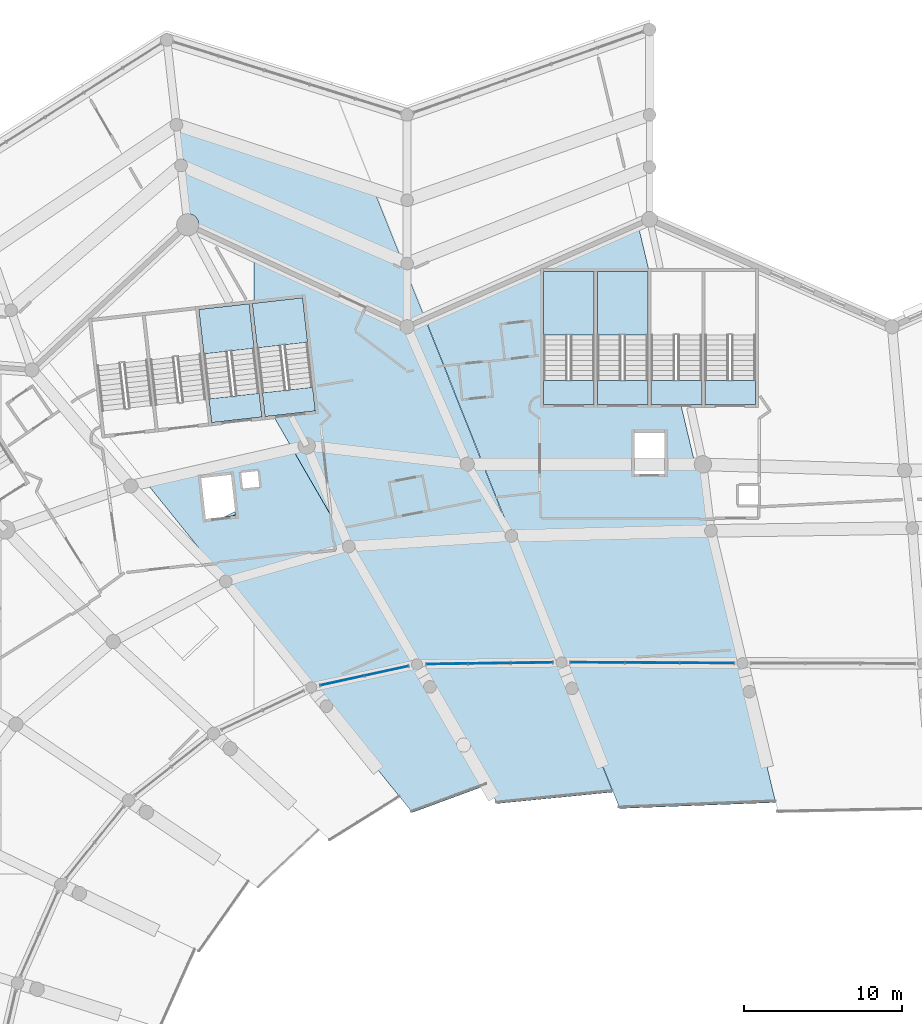
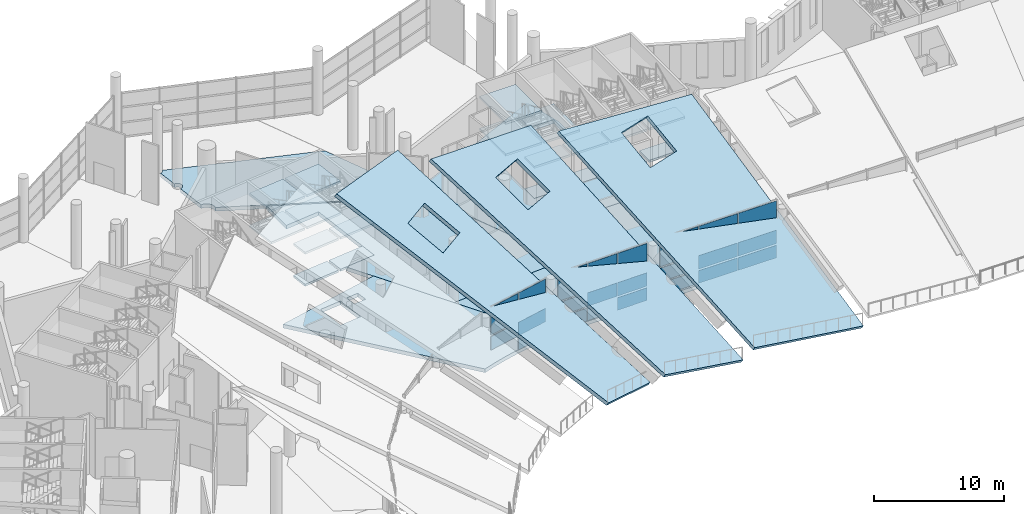
# One storey, part 124 of 249: 28 slabs, 23 plates, 9 elements without a shape of their own.
"""IFC4 building model written with IfcOpenShell, lengths in metres."""

from ifc_helpers import new_model, si_unit, direction, frame, origin, origin_2d, place, context, subcontext, project, spatial, polyline, rectangle, outline, extrude, material, layer, layer_set, type_object, element, aggregate, save


model = new_model("IFC4")

# Units and contexts
model_context = context("Model", 3, precision=1e-05, world=origin(), true_north=direction((0.0, 1.0)))
body_context = subcontext(model_context, "Body", "Model", "MODEL_VIEW")
ifc_project = project(units=[si_unit("LENGTHUNIT", "METRE"), si_unit("AREAUNIT", "SQUARE_METRE"), si_unit("VOLUMEUNIT", "CUBIC_METRE"), si_unit("PLANEANGLEUNIT", "RADIAN"), si_unit("MASSUNIT", "GRAM", prefix="KILO")], contexts=[model_context])

# Site, building, storey
site_placement = place(None, origin())
site = spatial("IfcSite", under=ifc_project, at=site_placement, CompositionType="ELEMENT")
building_placement = place(site_placement, origin())
building = spatial("IfcBuilding", under=site, at=building_placement, Name="Meseta Stadium", CompositionType="ELEMENT")
storey_placement = place(building_placement, frame((0.0, 0.0, 12.0)))
storey = spatial("IfcBuildingStorey", under=building, at=storey_placement, Name="L02", CompositionType="ELEMENT", Elevation=12.0)

# Curtain wall, plates
ifc_material_1 = material(Name="Aluminium", Category="aluminium")
ifc_layer_1 = layer(ifc_material_1, 0.199951171875)
ifc_layer_set_1 = layer_set([ifc_layer_1], Name="Suite glazing curtain wall")
curtain_wall_type = type_object("IfcCurtainWallType", Name="Suite glazing curtain wall", PredefinedType="NOTDEFINED", material=ifc_layer_set_1)
curtain_wall_1_placement = place(storey_placement, origin())
curtain_wall_1 = element("IfcCurtainWall", 1, at=curtain_wall_1_placement, inside=storey, type_object=curtain_wall_type, Name="Suite glazing bay 20", PredefinedType="NOTDEFINED")
ifc_material_2 = material(Name="Glass", Category="glass")
ifc_layer_2 = layer(ifc_material_2, 0.035888671875)
ifc_layer_set_2 = layer_set([ifc_layer_2], Name="CW glass panel 36")
plate_type = type_object("IfcPlateType", Name="CW glass panel 36", PredefinedType="CURTAIN_PANEL", material=ifc_layer_set_2)
plate_1_placement = place(storey_placement, frame((-19.372802734375, 77.342041015625, 0.14990234375), z_axis=(0.0, 0.0, 1.0), x_axis=(-0.999990015912, 0.004468565348, 0.0)))
plate_1 = element("IfcPlate", 2, at=plate_1_placement, type_object=plate_type, Name="CWS panel 1.1", PredefinedType="CURTAIN_PANEL", context=body_context, shape_type="SweptSolid", body=[
    extrude(rectangle(XDim=3.386474609375, YDim=0.035888671875, at=origin_2d()), origin(), (0.0, 0.0, 1.0), 1.1875),
])
plate_2_placement = place(storey_placement, frame((-19.372802734375, 77.342041015625, 1.4873046875), z_axis=(0.0, 0.0, 1.0), x_axis=(-0.999990015912, 0.004468565348, 0.0)))
plate_2 = element("IfcPlate", 3, at=plate_2_placement, type_object=plate_type, Name="CWS panel 1.2", PredefinedType="CURTAIN_PANEL", context=body_context, shape_type="SweptSolid", body=[
    extrude(rectangle(XDim=3.386474609375, YDim=0.035888671875, at=origin_2d()), origin(), (0.0, 0.0, 1.0), 1.262451171875),
])
plate_3_placement = place(storey_placement, frame((-19.372802734375, 77.342041015625, 2.89990234375), z_axis=(0.0, 0.0, 1.0), x_axis=(-0.999990015912, 0.004468565348, 0.0)))
plate_3 = element("IfcPlate", 4, at=plate_3_placement, type_object=plate_type, Name="CWS panel 1.3", PredefinedType="CURTAIN_PANEL", context=body_context, shape_type="SweptSolid", body=[
    extrude(rectangle(XDim=3.386474609375, YDim=0.035888671875, at=origin_2d()), origin(), (0.0, 0.0, 1.0), 2.60009765625),
])
plate_4_placement = place(storey_placement, frame((-22.833984375, 77.357666015625, 0.14990234375), z_axis=(0.0, 0.0, 1.0), x_axis=(-0.999990015912, 0.004468565348, 0.0)))
plate_4 = element("IfcPlate", 5, at=plate_4_placement, type_object=plate_type, Name="CWS panel 2.1", PredefinedType="CURTAIN_PANEL", context=body_context, shape_type="SweptSolid", body=[
    extrude(rectangle(XDim=3.41650390625, YDim=0.035888671875, at=origin_2d()), origin(), (0.0, 0.0, 1.0), 1.1875),
])
plate_5_placement = place(storey_placement, frame((-22.833984375, 77.357666015625, 1.4873046875), z_axis=(0.0, 0.0, 1.0), x_axis=(-0.999990015912, 0.004468565348, 0.0)))
plate_5 = element("IfcPlate", 6, at=plate_5_placement, type_object=plate_type, Name="CWS panel 2.2", PredefinedType="CURTAIN_PANEL", context=body_context, shape_type="SweptSolid", body=[
    extrude(rectangle(XDim=3.41650390625, YDim=0.035888671875, at=origin_2d()), origin(), (0.0, 0.0, 1.0), 1.262451171875),
])
plate_6_placement = place(storey_placement, frame((-22.833984375, 77.357666015625, 2.89990234375), z_axis=(0.0, 0.0, 1.0), x_axis=(-0.999990015912, 0.004468565348, 0.0)))
plate_6 = element("IfcPlate", 7, at=plate_6_placement, type_object=plate_type, Name="CWS panel 2.3", PredefinedType="CURTAIN_PANEL", context=body_context, shape_type="SweptSolid", body=[
    extrude(rectangle(XDim=3.41650390625, YDim=0.035888671875, at=origin_2d()), origin(), (0.0, 0.0, 1.0), 2.60009765625),
])
plate_7_placement = place(storey_placement, frame((-26.29541015625, 77.373046875, 0.14990234375), z_axis=(0.0, 0.0, 1.0), x_axis=(-0.999990015912, 0.004468565348, 0.0)))
plate_7 = element("IfcPlate", 8, at=plate_7_placement, type_object=plate_type, Name="CWS panel 3.1", PredefinedType="CURTAIN_PANEL", context=body_context, shape_type="SweptSolid", body=[
    extrude(rectangle(XDim=3.386474609375, YDim=0.035888671875, at=origin_2d()), origin(), (0.0, 0.0, 1.0), 1.1875),
])
plate_8_placement = place(storey_placement, frame((-26.29541015625, 77.373046875, 1.4873046875), z_axis=(0.0, 0.0, 1.0), x_axis=(-0.999990015912, 0.004468565348, 0.0)))
plate_8 = element("IfcPlate", 9, at=plate_8_placement, type_object=plate_type, Name="CWS panel 3.2", PredefinedType="CURTAIN_PANEL", context=body_context, shape_type="SweptSolid", body=[
    extrude(rectangle(XDim=3.386474609375, YDim=0.035888671875, at=origin_2d()), origin(), (0.0, 0.0, 1.0), 1.262451171875),
])
plate_9_placement = place(storey_placement, frame((-26.29541015625, 77.373046875, 2.89990234375), z_axis=(0.0, 0.0, 1.0), x_axis=(-0.999990015912, 0.004468565348, 0.0)))
plate_9 = element("IfcPlate", 10, at=plate_9_placement, type_object=plate_type, Name="CWS panel 3.3", PredefinedType="CURTAIN_PANEL", context=body_context, shape_type="SweptSolid", body=[
    extrude(rectangle(XDim=3.386474609375, YDim=0.035888671875, at=origin_2d()), origin(), (0.0, 0.0, 1.0), 2.60009765625),
])
aggregate(curtain_wall_1, [plate_1, plate_2, plate_3, plate_4, plate_5, plate_6, plate_7, plate_8, plate_9])

curtain_wall_2_placement = place(storey_placement, origin())
curtain_wall_2 = element("IfcCurtainWall", 11, at=curtain_wall_2_placement, inside=storey, type_object=curtain_wall_type, Name="Suite glazing bay 21", PredefinedType="NOTDEFINED")
plate_10_placement = place(storey_placement, frame((-30.43994140625, 77.3583984375, 0.14990234375), z_axis=(0.0, 0.0, 1.0), x_axis=(-0.999911801279, -0.013281177042, 0.0)))
plate_10 = element("IfcPlate", 12, at=plate_10_placement, type_object=plate_type, Name="CWS panel 1.1", PredefinedType="CURTAIN_PANEL", context=body_context, shape_type="SweptSolid", body=[
    extrude(rectangle(XDim=2.60546875, YDim=0.035888671875, at=origin_2d()), origin(), (0.0, 0.0, 1.0), 1.1875),
])
plate_11_placement = place(storey_placement, frame((-30.43994140625, 77.3583984375, 1.4873046875), z_axis=(0.0, 0.0, 1.0), x_axis=(-0.999911801279, -0.013281177042, 0.0)))
plate_11 = element("IfcPlate", 13, at=plate_11_placement, type_object=plate_type, Name="CWS panel 1.2", PredefinedType="CURTAIN_PANEL", context=body_context, shape_type="SweptSolid", body=[
    extrude(rectangle(XDim=2.60546875, YDim=0.035888671875, at=origin_2d()), origin(), (0.0, 0.0, 1.0), 1.262451171875),
])
plate_12_placement = place(storey_placement, frame((-30.43994140625, 77.3583984375, 2.89990234375), z_axis=(0.0, 0.0, 1.0), x_axis=(-0.999911801279, -0.013281177042, 0.0)))
plate_12 = element("IfcPlate", 14, at=plate_12_placement, type_object=plate_type, Name="CWS panel 1.3", PredefinedType="CURTAIN_PANEL", context=body_context, shape_type="SweptSolid", body=[
    extrude(rectangle(XDim=2.60546875, YDim=0.035888671875, at=origin_2d()), origin(), (0.0, 0.0, 1.0), 2.60009765625),
])
plate_13_placement = place(storey_placement, frame((-33.1201171875, 77.32275390625, 0.14990234375), z_axis=(0.0, 0.0, 1.0), x_axis=(-0.999911801279, -0.013281177042, 0.0)))
plate_13 = element("IfcPlate", 15, at=plate_13_placement, type_object=plate_type, Name="CWS panel 2.1", PredefinedType="CURTAIN_PANEL", context=body_context, shape_type="SweptSolid", body=[
    extrude(rectangle(XDim=2.635498046875, YDim=0.035888671875, at=origin_2d()), origin(), (0.0, 0.0, 1.0), 1.1875),
])
plate_14_placement = place(storey_placement, frame((-33.1201171875, 77.32275390625, 1.4873046875), z_axis=(0.0, 0.0, 1.0), x_axis=(-0.999911801279, -0.013281177042, 0.0)))
plate_14 = element("IfcPlate", 16, at=plate_14_placement, type_object=plate_type, Name="CWS panel 2.2", PredefinedType="CURTAIN_PANEL", context=body_context, shape_type="SweptSolid", body=[
    extrude(rectangle(XDim=2.635498046875, YDim=0.035888671875, at=origin_2d()), origin(), (0.0, 0.0, 1.0), 1.262451171875),
])
plate_15_placement = place(storey_placement, frame((-33.1201171875, 77.32275390625, 2.89990234375), z_axis=(0.0, 0.0, 1.0), x_axis=(-0.999911801279, -0.013281177042, 0.0)))
plate_15 = element("IfcPlate", 17, at=plate_15_placement, type_object=plate_type, Name="CWS panel 2.3", PredefinedType="CURTAIN_PANEL", context=body_context, shape_type="SweptSolid", body=[
    extrude(rectangle(XDim=2.635498046875, YDim=0.035888671875, at=origin_2d()), origin(), (0.0, 0.0, 1.0), 2.60009765625),
])
plate_16_placement = place(storey_placement, frame((-35.80029296875, 77.287109375, 0.14990234375), z_axis=(0.0, 0.0, 1.0), x_axis=(-0.999911801279, -0.013281177042, 0.0)))
plate_16 = element("IfcPlate", 18, at=plate_16_placement, type_object=plate_type, Name="CWS panel 3.1", PredefinedType="CURTAIN_PANEL", context=body_context, shape_type="SweptSolid", body=[
    extrude(rectangle(XDim=2.60546875, YDim=0.035888671875, at=origin_2d()), origin(), (0.0, 0.0, 1.0), 1.1875),
])
plate_17_placement = place(storey_placement, frame((-35.80029296875, 77.287109375, 1.4873046875), z_axis=(0.0, 0.0, 1.0), x_axis=(-0.999911801279, -0.013281177042, 0.0)))
plate_17 = element("IfcPlate", 19, at=plate_17_placement, type_object=plate_type, Name="CWS panel 3.2", PredefinedType="CURTAIN_PANEL", context=body_context, shape_type="SweptSolid", body=[
    extrude(rectangle(XDim=2.60546875, YDim=0.035888671875, at=origin_2d()), origin(), (0.0, 0.0, 1.0), 1.262451171875),
])
plate_18_placement = place(storey_placement, frame((-35.80029296875, 77.287109375, 2.89990234375), z_axis=(0.0, 0.0, 1.0), x_axis=(-0.999911801279, -0.013281177042, 0.0)))
plate_18 = element("IfcPlate", 20, at=plate_18_placement, type_object=plate_type, Name="CWS panel 3.3", PredefinedType="CURTAIN_PANEL", context=body_context, shape_type="SweptSolid", body=[
    extrude(rectangle(XDim=2.60546875, YDim=0.035888671875, at=origin_2d()), origin(), (0.0, 0.0, 1.0), 2.60009765625),
])
aggregate(curtain_wall_2, [plate_10, plate_11, plate_12, plate_13, plate_14, plate_15, plate_16, plate_17, plate_18])

curtain_wall_3_placement = place(storey_placement, origin())
curtain_wall_3 = element("IfcCurtainWall", 21, at=curtain_wall_3_placement, inside=storey, type_object=curtain_wall_type, Name="Suite glazing bay 22", PredefinedType="NOTDEFINED")
plate_19_placement = place(storey_placement, frame((-39.633544921875, 76.843017578125, 0.14990234375), z_axis=(0.0, 0.0, 1.0), x_axis=(-0.977070301273, -0.21291694712, 0.0)))
plate_19 = element("IfcPlate", 22, at=plate_19_placement, type_object=plate_type, Name="CWS panel 1.1", PredefinedType="CURTAIN_PANEL", context=body_context, shape_type="SweptSolid", body=[
    extrude(rectangle(XDim=2.80810546875, YDim=0.035888671875, at=origin_2d()), origin(), (0.0, 0.0, 1.0), 1.1875),
])
plate_20_placement = place(storey_placement, frame((-39.633544921875, 76.843017578125, 1.4873046875), z_axis=(0.0, 0.0, 1.0), x_axis=(-0.977070301273, -0.21291694712, 0.0)))
plate_20 = element("IfcPlate", 23, at=plate_20_placement, type_object=plate_type, Name="CWS panel 1.2", PredefinedType="CURTAIN_PANEL", context=body_context, shape_type="SweptSolid", body=[
    extrude(rectangle(XDim=2.80810546875, YDim=0.035888671875, at=origin_2d()), origin(), (0.0, 0.0, 1.0), 1.262451171875),
])
plate_21_placement = place(storey_placement, frame((-39.633544921875, 76.843017578125, 2.89990234375), z_axis=(0.0, 0.0, 1.0), x_axis=(-0.977070301273, -0.21291694712, 0.0)))
plate_21 = element("IfcPlate", 24, at=plate_21_placement, type_object=plate_type, Name="CWS panel 1.3", PredefinedType="CURTAIN_PANEL", context=body_context, shape_type="SweptSolid", body=[
    extrude(rectangle(XDim=2.80810546875, YDim=0.035888671875, at=origin_2d()), origin(), (0.0, 0.0, 1.0), 2.60009765625),
])
plate_22_placement = place(storey_placement, frame((-42.43603515625, 76.232177734375, 1.4873046875), z_axis=(0.0, 0.0, 1.0), x_axis=(-0.977070301273, -0.21291694712, 0.0)))
plate_22 = element("IfcPlate", 25, at=plate_22_placement, type_object=plate_type, Name="CWS panel 2.2", PredefinedType="CURTAIN_PANEL", context=body_context, shape_type="SweptSolid", body=[
    extrude(rectangle(XDim=2.80810546875, YDim=0.035888671875, at=origin_2d()), origin(), (0.0, 0.0, 1.0), 1.262451171875),
])
plate_23_placement = place(storey_placement, frame((-42.43603515625, 76.232177734375, 2.89990234375), z_axis=(0.0, 0.0, 1.0), x_axis=(-0.977070301273, -0.21291694712, 0.0)))
plate_23 = element("IfcPlate", 26, at=plate_23_placement, type_object=plate_type, Name="CWS panel 2.3", PredefinedType="CURTAIN_PANEL", context=body_context, shape_type="SweptSolid", body=[
    extrude(rectangle(XDim=2.80810546875, YDim=0.035888671875, at=origin_2d()), origin(), (0.0, 0.0, 1.0), 2.60009765625),
])
aggregate(curtain_wall_3, [plate_19, plate_20, plate_21, plate_22, plate_23])

# Slabs
ifc_material_3 = material(Name="Concrete C40/50", Category="concrete")
ifc_layer_3 = layer(ifc_material_3, 0.35009765625)
ifc_layer_set_3 = layer_set([ifc_layer_3], Name="Floor slab 350")
slab_type_1 = type_object("IfcSlabType", Name="Floor slab 350", PredefinedType="FLOOR", material=ifc_layer_set_3)
slab_1_placement = place(storey_placement, frame((0.0, 0.0, -0.35009765625)))
element("IfcSlab", 27, at=slab_1_placement, inside=storey, type_object=slab_type_1, Name="Floor slab L02 sector 14 panel 01", PredefinedType="FLOOR", context=body_context, shape_type="SweptSolid", body=[
    extrude(outline(polyline([(-22.89990234375, 101.580078125), (-23.732177734375, 105.0751953125), (-37.177001953125, 99.11279296875), (-33.525390625, 89.911376953125), (-23.949951171875, 89.906005859375), (-23.949951171875, 91.89990234375), (-22.050048828125, 91.89990234375), (-22.050048828125, 89.905029296875), (-20.1201171875, 89.904052734375), (-21.023681640625, 93.699951171875), (-22.89990234375, 93.699951171875), (-22.89990234375, 101.580078125)]), holes=[polyline([(-26.300048828125, 93.699951171875), (-26.300048828125, 102.10009765625), (-23.10009765625, 102.10009765625), (-23.10009765625, 93.699951171875), (-26.300048828125, 93.699951171875)]), polyline([(-29.699951171875, 93.699951171875), (-29.699951171875, 102.10009765625), (-26.5, 102.10009765625), (-26.5, 93.699951171875), (-29.699951171875, 93.699951171875)])]), origin(), (0.0, 0.0, 1.0), 0.35009765625),
])
slab_2_placement = place(storey_placement, frame((0.0, 0.0, -0.35009765625)))
element("IfcSlab", 28, at=slab_2_placement, inside=storey, type_object=slab_type_1, Name="Floor slab L02 sector 14 panel 02", PredefinedType="FLOOR", context=body_context, shape_type="SweptSolid", body=[
    extrude(outline(polyline([(-19.11865234375, 85.6982421875), (-19.62744140625, 89.90380859375), (-22.050048828125, 89.905029296875), (-22.050048828125, 89.300048828125), (-23.949951171875, 89.300048828125), (-23.949951171875, 89.906005859375), (-33.525390625, 89.911376953125), (-28.553955078125, 77.38330078125), (-24.74951171875, 77.364013671875), (-19.031494140625, 77.339111328125), (-17.126708984375, 77.33203125), (-19.11865234375, 85.6982421875)])), origin(), (0.0, 0.0, 1.0), 0.35009765625),
])
slab_3_placement = place(storey_placement, frame((0.0, 0.0, -0.35009765625)))
element("IfcSlab", 29, at=slab_3_placement, inside=storey, type_object=slab_type_1, Name="Floor slab L02 sector 21 panel 14", PredefinedType="FLOOR", context=body_context, shape_type="SweptSolid", body=[
    extrude(outline(polyline([(-37.711669921875, 77.26171875), (-45.585693359375, 90.8837890625), (-54.8447265625, 88.760498046875), (-44.389892578125, 75.806396484375), (-43.302490234375, 76.153564453125), (-42.20263671875, 76.459228515625), (-41.092041015625, 76.723388671875), (-39.972412109375, 76.9453125), (-38.844970703125, 77.124755859375), (-37.711669921875, 77.26171875)]), holes=[polyline([(-48.71337890625, 88.37255859375), (-48.825439453125, 89.3662109375), (-47.781982421875, 89.483642578125), (-47.669921875, 88.489990234375), (-48.71337890625, 88.37255859375)]), polyline([(-49.174560546875, 86.66015625), (-51.0625, 86.447265625), (-51.353759765625, 89.031005859375), (-49.4658203125, 89.24365234375), (-49.174560546875, 86.66015625)])]), origin(), (0.0, 0.0, 1.0), 0.35009765625),
])
slab_4_placement = place(storey_placement, frame((0.0, 0.0, -0.35009765625)))
element("IfcSlab", 30, at=slab_4_placement, inside=storey, type_object=slab_type_1, Name="Floor slab L02 sector 21 panel 15", PredefinedType="FLOOR", context=body_context, shape_type="SweptSolid", body=[
    extrude(outline(polyline([(-31.747314453125, 85.376220703125), (-37.1953125, 99.104736328125), (-38.333251953125, 98.60009765625), (-48.0, 103.0966796875), (-48.0, 100.091064453125), (-44.9404296875, 100.435791015625), (-44.13427734375, 93.281005859375), (-46.7978515625, 92.98095703125), (-42.015380859375, 84.707275390625), (-31.747314453125, 85.376220703125)])), origin(), (0.0, 0.0, 1.0), 0.35009765625),
])
slab_5_placement = place(storey_placement, frame((0.0, 0.0, -0.35009765625)))
element("IfcSlab", 31, at=slab_5_placement, inside=storey, type_object=slab_type_1, Name="Floor slab L02 sector 21 panel 16", PredefinedType="FLOOR", context=body_context, shape_type="SweptSolid", body=[
    extrude(outline(polyline([(-36.57421875, 77.355712890625), (-35.43408203125, 77.40673828125), (-34.292724609375, 77.41455078125), (-28.575439453125, 77.38330078125), (-31.747314453125, 85.376220703125), (-42.015380859375, 84.707275390625), (-37.711669921875, 77.26171875), (-36.57421875, 77.355712890625)])), origin(), (0.0, 0.0, 1.0), 0.35009765625),
])
slab_6_placement = place(storey_placement, frame((0.0, 0.0, -0.35009765625)))
element("IfcSlab", 32, at=slab_6_placement, inside=storey, type_object=slab_type_1, Name="Ring floor slab L02 3 part 1 panel 05", PredefinedType="FLOOR", context=body_context, shape_type="SweptSolid", body=[
    extrude(outline(polyline([(-38.722900390625, 102.49560546875), (-38.73681640625, 102.60009765625), (-38.722900390625, 102.704345703125), (-38.6826171875, 102.8017578125), (-38.669189453125, 102.8193359375), (-40.443603515625, 107.29052734375), (-52.53369140625, 111.24755859375), (-52.565673828125, 111.170654296875), (-52.629638671875, 111.087158203125), (-52.71337890625, 111.02294921875), (-52.810546875, 110.982666015625), (-52.8701171875, 110.974853515625), (-52.6708984375, 109.205810546875), (-52.626220703125, 109.211669921875), (-52.521728515625, 109.197998046875), (-52.42431640625, 109.15771484375), (-52.3408203125, 109.093505859375), (-52.276611328125, 109.010009765625), (-52.236328125, 108.91259765625), (-52.22265625, 108.80810546875), (-52.236328125, 108.703857421875), (-52.276611328125, 108.6064453125), (-52.3408203125, 108.52294921875), (-52.42431640625, 108.458740234375), (-52.521728515625, 108.41845703125), (-52.581298828125, 108.41064453125), (-52.28125, 105.747314453125), (-52.202880859375, 105.7578125), (-52.02001953125, 105.733642578125), (-51.849853515625, 105.6630859375), (-51.70361328125, 105.55078125), (-51.59130859375, 105.40478515625), (-51.520751953125, 105.234375), (-51.496826171875, 105.0517578125), (-51.51708984375, 104.898193359375), (-38.65771484375, 98.91650390625), (-38.654296875, 98.9208984375), (-38.560302734375, 98.9931640625), (-38.45068359375, 99.038330078125), (-38.333251953125, 99.053955078125), (-38.2158203125, 99.038330078125), (-38.1064453125, 98.9931640625), (-38.012451171875, 98.9208984375), (-38.004150390625, 98.91015625), (-37.25048828125, 99.244384765625), (-38.427001953125, 102.208984375), (-38.437744140625, 102.210205078125), (-38.53515625, 102.25048828125), (-38.61865234375, 102.314697265625), (-38.6826171875, 102.398193359375), (-38.722900390625, 102.49560546875)])), origin(), (0.0, 0.0, 1.0), 0.35009765625),
])
ifc_material_4 = material(Name="Concrete C40/50", Category="concrete")
ifc_layer_4 = layer(ifc_material_4, 0.35009765625)
ifc_layer_set_4 = layer_set([ifc_layer_4], Name="Seating tier 350")
slab_type_2 = type_object("IfcSlabType", Name="Seating tier 350", PredefinedType="USERDEFINED", material=ifc_layer_set_4)
slab_7_placement = place(storey_placement, frame((-15.02880859375, 68.52099609375, -1.820068359375), z_axis=(0.160361863624, -0.505154959163, 0.847999139108), x_axis=(-0.196558422648, 0.825568137676, 0.528963171251)))
element("IfcSlab", 33, at=slab_7_placement, inside=storey, type_object=slab_type_2, Name="Stand upper tier bay 21", ObjectType="SEATING TIER", PredefinedType="USERDEFINED", context=body_context, shape_type="SweptSolid", body=[
    extrude(outline(polyline([(0.0, 0.0), (22.624296574666893, 1.1102230246251565e-16), (24.949350341844152, 12.443457201617084), (2.491654237678982, 9.685685727142626), (0.0, 0.0)]), holes=[polyline([(19.185546875, 4.4423828125), (22.71630859375, 4.663330078125), (22.529052734375, 7.657470703125), (18.998046875, 7.4365234375), (19.185546875, 4.4423828125)])]), origin(), (0.0, 0.0, -1.0), 0.35009765625),
])
slab_8_placement = place(storey_placement, frame((-25.31884765625, 69.177001953125, -1.79541015625), z_axis=(0.232119143506, -0.476465351719, 0.847998509332), x_axis=(-0.313031107442, 0.788838391922, 0.52890974391)))
element("IfcSlab", 34, at=slab_8_placement, inside=storey, type_object=slab_type_2, Name="Stand upper tier bay 22", ObjectType="SEATING TIER", PredefinedType="USERDEFINED", context=body_context, shape_type="SweptSolid", body=[
    extrude(outline(polyline([(0.0, 0.0), (24.507633626726914, 3.885780586188048e-16), (26.880816828932062, 10.094729530502343), (2.5585262941642393, 7.059484787694279), (0.0, 0.0)]), holes=[polyline([(19.450439453125, 3.151611328125), (22.98095703125, 3.378173828125), (22.788818359375, 6.3720703125), (19.25830078125, 6.1455078125), (19.450439453125, 3.151611328125)])]), origin(), (0.0, 0.0, -1.0), 0.35009765625),
])
slab_9_placement = place(storey_placement, frame((-33.29443359375, 69.619873046875, -1.39013671875), z_axis=(0.300983272635, -0.436243165598, 0.847998213478), x_axis=(-0.424754048149, 0.73482785255, 0.528783533875)))
element("IfcSlab", 35, at=slab_9_placement, inside=storey, type_object=slab_type_2, Name="Stand upper tier bay 23", ObjectType="SEATING TIER", PredefinedType="USERDEFINED", context=body_context, shape_type="SweptSolid", body=[
    extrude(outline(polyline([(0.0, 0.0), (26.391565654778425, 7.771561172376096e-16), (27.306947301688208, 8.404293712613997), (1.1403016902974397, 4.9450745791314485), (0.0, 0.0)]), holes=[polyline([(18.50390625, 2.149658203125), (22.033447265625, 2.38916015625), (21.830322265625, 5.382080078125), (18.30078125, 5.142822265625), (18.50390625, 2.149658203125)])]), origin(), (0.0, 0.0, -1.0), 0.35009765625),
])

# Stair, slabs
ifc_material_5 = material(Name="Concrete C40/50", Category="concrete")
stair_type = type_object("IfcStairType", Name="Exit stair 4 flights 150 mm risers", PredefinedType="HALF_TURN_STAIR", material=ifc_material_5)
stair_1_placement = place(storey_placement, origin())
stair_1 = element("IfcStair", 36, at=stair_1_placement, inside=storey, type_object=stair_type, Name="ST41 L02", PredefinedType="HALF_TURN_STAIR")
ifc_material_6 = material(Name="Concrete C40/50", Category="concrete")
ifc_layer_5 = layer(ifc_material_6, 0.199951171875)
ifc_layer_set_5 = layer_set([ifc_layer_5], Name="Stair landing 200")
slab_type_3 = type_object("IfcSlabType", Name="Stair landing 200", PredefinedType="LANDING", material=ifc_layer_set_5)
slab_10_placement = place(storey_placement, frame((0.0, 0.0, 2.800048828125)))
slab_10 = element("IfcSlab", 37, at=slab_10_placement, type_object=slab_type_3, Name="ST41 L02 landing 2", PredefinedType="LANDING", context=body_context, shape_type="SweptSolid", body=[
    extrude(outline(polyline([(-16.300048828125, 93.699951171875), (-16.300048828125, 95.2099609375), (-19.5, 95.2099609375), (-19.5, 93.699951171875), (-16.300048828125, 93.699951171875)])), origin(), (0.0, 0.0, 1.0), 0.199951171875),
])
slab_11_placement = place(storey_placement, frame((0.0, 0.0, -0.199951171875)))
slab_11 = element("IfcSlab", 38, at=slab_11_placement, type_object=slab_type_3, Name="ST41 L02 landing 4", PredefinedType="LANDING", context=body_context, shape_type="SweptSolid", body=[
    extrude(outline(polyline([(-16.300048828125, 93.699951171875), (-16.300048828125, 95.2099609375), (-19.5, 95.2099609375), (-19.5, 93.699951171875), (-16.300048828125, 93.699951171875)])), origin(), (0.0, 0.0, 1.0), 0.199951171875),
])
aggregate(stair_1, [slab_10, slab_11])

stair_2_placement = place(storey_placement, origin())
stair_2 = element("IfcStair", 39, at=stair_2_placement, inside=storey, type_object=stair_type, Name="ST42 L02", PredefinedType="HALF_TURN_STAIR")
slab_12_placement = place(storey_placement, frame((0.0, 0.0, 2.800048828125)))
slab_12 = element("IfcSlab", 40, at=slab_12_placement, type_object=slab_type_3, Name="ST42 L02 landing 2", PredefinedType="LANDING", context=body_context, shape_type="SweptSolid", body=[
    extrude(outline(polyline([(-19.699951171875, 93.699951171875), (-19.699951171875, 95.2099609375), (-22.89990234375, 95.2099609375), (-22.89990234375, 93.699951171875), (-19.699951171875, 93.699951171875)])), origin(), (0.0, 0.0, 1.0), 0.199951171875),
])
slab_13_placement = place(storey_placement, frame((0.0, 0.0, -0.199951171875)))
slab_13 = element("IfcSlab", 41, at=slab_13_placement, type_object=slab_type_3, Name="ST42 L02 landing 4", PredefinedType="LANDING", context=body_context, shape_type="SweptSolid", body=[
    extrude(outline(polyline([(-19.699951171875, 93.699951171875), (-19.699951171875, 95.2099609375), (-22.89990234375, 95.2099609375), (-22.89990234375, 93.699951171875), (-19.699951171875, 93.699951171875)])), origin(), (0.0, 0.0, 1.0), 0.199951171875),
])
aggregate(stair_2, [slab_12, slab_13])

stair_3_placement = place(storey_placement, origin())
stair_3 = element("IfcStair", 42, at=stair_3_placement, inside=storey, type_object=stair_type, Name="ST43 L02", PredefinedType="HALF_TURN_STAIR")
slab_14_placement = place(storey_placement, frame((0.0, 0.0, 1.300048828125)))
slab_14 = element("IfcSlab", 43, at=slab_14_placement, type_object=slab_type_3, Name="ST43 L02 landing 1", PredefinedType="LANDING", context=body_context, shape_type="SweptSolid", body=[
    extrude(outline(polyline([(-23.10009765625, 98.070068359375), (-23.10009765625, 102.10009765625), (-26.300048828125, 102.10009765625), (-26.300048828125, 98.070068359375), (-23.10009765625, 98.070068359375)])), origin(), (0.0, 0.0, 1.0), 0.199951171875),
])
slab_15_placement = place(storey_placement, frame((0.0, 0.0, 2.800048828125)))
slab_15 = element("IfcSlab", 44, at=slab_15_placement, type_object=slab_type_3, Name="ST43 L02 landing 2", PredefinedType="LANDING", context=body_context, shape_type="SweptSolid", body=[
    extrude(outline(polyline([(-23.10009765625, 93.699951171875), (-23.10009765625, 95.2099609375), (-26.300048828125, 95.2099609375), (-26.300048828125, 93.699951171875), (-23.10009765625, 93.699951171875)])), origin(), (0.0, 0.0, 1.0), 0.199951171875),
])
slab_16_placement = place(storey_placement, frame((0.0, 0.0, -0.199951171875)))
slab_16 = element("IfcSlab", 45, at=slab_16_placement, type_object=slab_type_3, Name="ST43 L02 landing 4", PredefinedType="LANDING", context=body_context, shape_type="SweptSolid", body=[
    extrude(outline(polyline([(-23.10009765625, 93.699951171875), (-23.10009765625, 95.2099609375), (-26.300048828125, 95.2099609375), (-26.300048828125, 93.699951171875), (-23.10009765625, 93.699951171875)])), origin(), (0.0, 0.0, 1.0), 0.199951171875),
])
aggregate(stair_3, [slab_14, slab_15, slab_16])

stair_4_placement = place(storey_placement, origin())
stair_4 = element("IfcStair", 46, at=stair_4_placement, inside=storey, type_object=stair_type, Name="ST44 L02", PredefinedType="HALF_TURN_STAIR")
slab_17_placement = place(storey_placement, frame((0.0, 0.0, 1.300048828125)))
slab_17 = element("IfcSlab", 47, at=slab_17_placement, type_object=slab_type_3, Name="ST44 L02 landing 1", PredefinedType="LANDING", context=body_context, shape_type="SweptSolid", body=[
    extrude(outline(polyline([(-26.5, 98.070068359375), (-26.5, 102.10009765625), (-29.699951171875, 102.10009765625), (-29.699951171875, 98.070068359375), (-26.5, 98.070068359375)])), origin(), (0.0, 0.0, 1.0), 0.199951171875),
])
slab_18_placement = place(storey_placement, frame((0.0, 0.0, 2.800048828125)))
slab_18 = element("IfcSlab", 48, at=slab_18_placement, type_object=slab_type_3, Name="ST44 L02 landing 2", PredefinedType="LANDING", context=body_context, shape_type="SweptSolid", body=[
    extrude(outline(polyline([(-26.5, 93.699951171875), (-26.5, 95.2099609375), (-29.699951171875, 95.2099609375), (-29.699951171875, 93.699951171875), (-26.5, 93.699951171875)])), origin(), (0.0, 0.0, 1.0), 0.199951171875),
])
slab_19_placement = place(storey_placement, frame((0.0, 0.0, 4.300048828125)))
slab_19 = element("IfcSlab", 49, at=slab_19_placement, type_object=slab_type_3, Name="ST44 L02 landing 3", PredefinedType="LANDING", context=body_context, shape_type="SweptSolid", body=[
    extrude(outline(polyline([(-26.5, 98.070068359375), (-26.5, 102.10009765625), (-29.699951171875, 102.10009765625), (-29.699951171875, 98.070068359375), (-26.5, 98.070068359375)])), origin(), (0.0, 0.0, 1.0), 0.199951171875),
])
slab_20_placement = place(storey_placement, frame((0.0, 0.0, -0.199951171875)))
slab_20 = element("IfcSlab", 50, at=slab_20_placement, type_object=slab_type_3, Name="ST44 L02 landing 4", PredefinedType="LANDING", context=body_context, shape_type="SweptSolid", body=[
    extrude(outline(polyline([(-26.5, 93.699951171875), (-26.5, 95.2099609375), (-29.699951171875, 95.2099609375), (-29.699951171875, 93.699951171875), (-26.5, 93.699951171875)])), origin(), (0.0, 0.0, 1.0), 0.199951171875),
])
aggregate(stair_4, [slab_17, slab_18, slab_19, slab_20])

stair_5_placement = place(storey_placement, origin())
stair_5 = element("IfcStair", 51, at=stair_5_placement, inside=storey, type_object=stair_type, Name="ST45 L02", PredefinedType="HALF_TURN_STAIR")
slab_21_placement = place(storey_placement, frame((0.0, 0.0, 1.300048828125)))
slab_21 = element("IfcSlab", 52, at=slab_21_placement, type_object=slab_type_3, Name="ST45 L02 landing 1", PredefinedType="LANDING", context=body_context, shape_type="SweptSolid", body=[
    extrude(outline(polyline([(-44.62353515625, 97.62353515625), (-44.9404296875, 100.435791015625), (-48.1201171875, 100.077392578125), (-47.803466796875, 97.265380859375), (-44.62353515625, 97.62353515625)])), origin(), (0.0, 0.0, 1.0), 0.199951171875),
])
slab_22_placement = place(storey_placement, frame((0.0, 0.0, 2.800048828125)))
slab_22 = element("IfcSlab", 53, at=slab_22_placement, type_object=slab_type_3, Name="ST45 L02 landing 2", PredefinedType="LANDING", context=body_context, shape_type="SweptSolid", body=[
    extrude(outline(polyline([(-44.13427734375, 93.281005859375), (-44.30322265625, 94.781494140625), (-47.483154296875, 94.42333984375), (-47.314208984375, 92.9228515625), (-44.13427734375, 93.281005859375)])), origin(), (0.0, 0.0, 1.0), 0.199951171875),
])
slab_23_placement = place(storey_placement, frame((0.0, 0.0, 4.300048828125)))
slab_23 = element("IfcSlab", 54, at=slab_23_placement, type_object=slab_type_3, Name="ST45 L02 landing 3", PredefinedType="LANDING", context=body_context, shape_type="SweptSolid", body=[
    extrude(outline(polyline([(-44.62353515625, 97.62353515625), (-44.9404296875, 100.435791015625), (-48.1201171875, 100.077392578125), (-47.803466796875, 97.265380859375), (-44.62353515625, 97.62353515625)])), origin(), (0.0, 0.0, 1.0), 0.199951171875),
])
slab_24_placement = place(storey_placement, frame((0.0, 0.0, -0.199951171875)))
slab_24 = element("IfcSlab", 55, at=slab_24_placement, type_object=slab_type_3, Name="ST45 L02 landing 4", PredefinedType="LANDING", context=body_context, shape_type="SweptSolid", body=[
    extrude(outline(polyline([(-44.13427734375, 93.281005859375), (-44.30322265625, 94.781494140625), (-47.483154296875, 94.42333984375), (-47.314208984375, 92.9228515625), (-44.13427734375, 93.281005859375)])), origin(), (0.0, 0.0, 1.0), 0.199951171875),
])
aggregate(stair_5, [slab_21, slab_22, slab_23, slab_24])

stair_6_placement = place(storey_placement, origin())
stair_6 = element("IfcStair", 56, at=stair_6_placement, inside=storey, type_object=stair_type, Name="ST46 L02", PredefinedType="HALF_TURN_STAIR")
slab_25_placement = place(storey_placement, frame((0.0, 0.0, 1.300048828125)))
slab_25 = element("IfcSlab", 57, at=slab_25_placement, type_object=slab_type_3, Name="ST46 L02 landing 1", PredefinedType="LANDING", context=body_context, shape_type="SweptSolid", body=[
    extrude(outline(polyline([(-48.002197265625, 97.242919921875), (-48.319091796875, 100.05517578125), (-51.498779296875, 99.69677734375), (-51.181884765625, 96.884521484375), (-48.002197265625, 97.242919921875)])), origin(), (0.0, 0.0, 1.0), 0.199951171875),
])
slab_26_placement = place(storey_placement, frame((0.0, 0.0, 2.800048828125)))
slab_26 = element("IfcSlab", 58, at=slab_26_placement, type_object=slab_type_3, Name="ST46 L02 landing 2", PredefinedType="LANDING", context=body_context, shape_type="SweptSolid", body=[
    extrude(outline(polyline([(-47.512939453125, 92.900390625), (-47.681884765625, 94.40087890625), (-50.86181640625, 94.04248046875), (-50.692626953125, 92.5419921875), (-47.512939453125, 92.900390625)])), origin(), (0.0, 0.0, 1.0), 0.199951171875),
])
slab_27_placement = place(storey_placement, frame((0.0, 0.0, 4.300048828125)))
slab_27 = element("IfcSlab", 59, at=slab_27_placement, type_object=slab_type_3, Name="ST46 L02 landing 3", PredefinedType="LANDING", context=body_context, shape_type="SweptSolid", body=[
    extrude(outline(polyline([(-48.002197265625, 97.242919921875), (-48.319091796875, 100.05517578125), (-51.498779296875, 99.69677734375), (-51.181884765625, 96.884521484375), (-48.002197265625, 97.242919921875)])), origin(), (0.0, 0.0, 1.0), 0.199951171875),
])
slab_28_placement = place(storey_placement, frame((0.0, 0.0, -0.199951171875)))
slab_28 = element("IfcSlab", 60, at=slab_28_placement, type_object=slab_type_3, Name="ST46 L02 landing 4", PredefinedType="LANDING", context=body_context, shape_type="SweptSolid", body=[
    extrude(outline(polyline([(-47.512939453125, 92.900390625), (-47.681884765625, 94.40087890625), (-50.86181640625, 94.04248046875), (-50.692626953125, 92.5419921875), (-47.512939453125, 92.900390625)])), origin(), (0.0, 0.0, 1.0), 0.199951171875),
])
aggregate(stair_6, [slab_25, slab_26, slab_27, slab_28])

save(model, "model.ifc")
